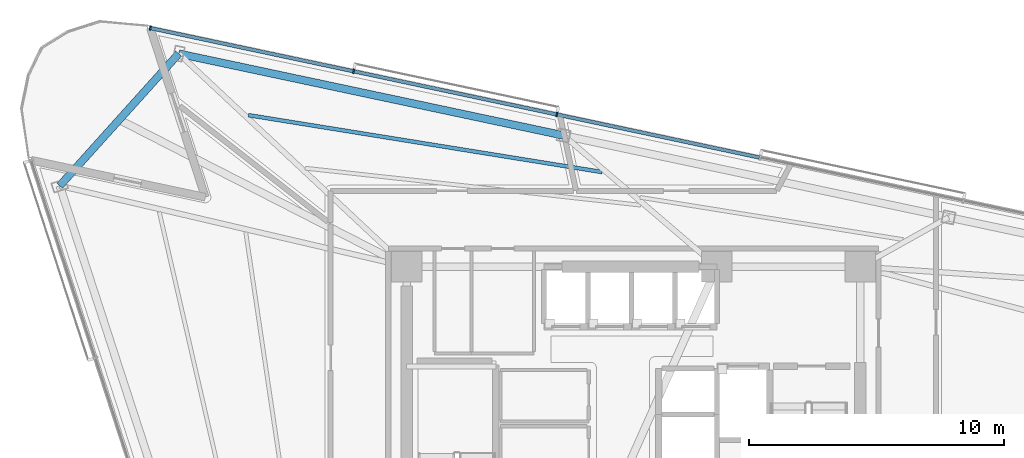
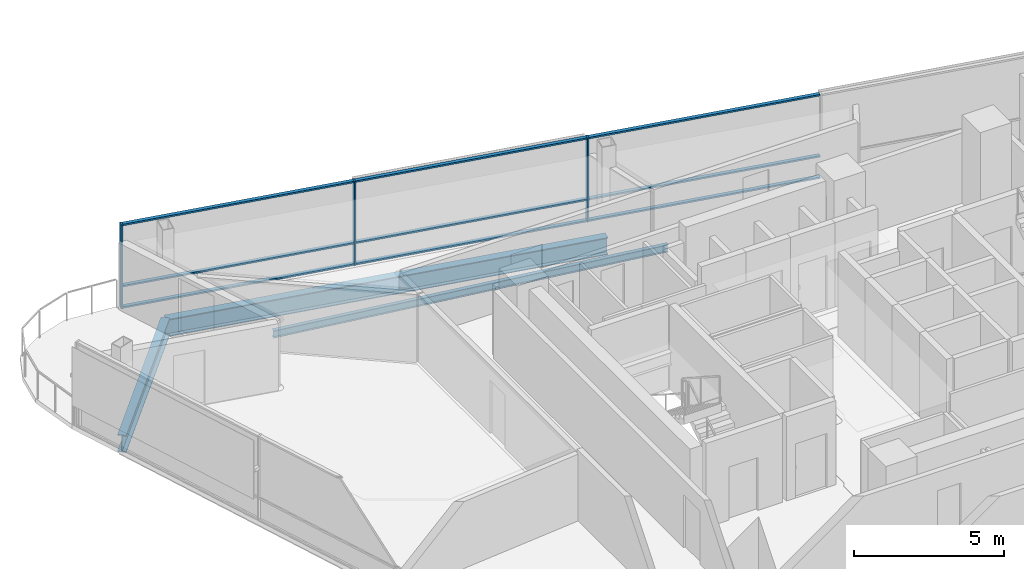
# One storey, part 7 of 17: 12 members, 3 beams, 1 element without a shape of its own.
"""IFC4 building model written with IfcOpenShell, lengths in metres."""

from ifc_helpers import new_model, si_unit, direction, frame, origin, origin_2d, place, context, subcontext, project, spatial, rectangle, i_section, extrude, material, layer, layer_set, material_profile, profile_set, type_object, element, aggregate, save


model = new_model("IFC4")

# Units and contexts
model_context = context("Model", 3, precision=1e-05, world=origin(), true_north=direction((0.0, 1.0)))
body_context = subcontext(model_context, "Body", "Model", "MODEL_VIEW")
ifc_project = project(units=[si_unit("LENGTHUNIT", "METRE"), si_unit("AREAUNIT", "SQUARE_METRE"), si_unit("VOLUMEUNIT", "CUBIC_METRE"), si_unit("PLANEANGLEUNIT", "RADIAN"), si_unit("MASSUNIT", "GRAM", prefix="KILO")], contexts=[model_context])

# Site, building, storey
site_placement = place(None, origin())
site = spatial("IfcSite", under=ifc_project, at=site_placement, CompositionType="ELEMENT")
building_placement = place(site_placement, origin())
building = spatial("IfcBuilding", under=site, at=building_placement, Name="Tharavind Bronze Gate", CompositionType="ELEMENT")
storey_placement = place(building_placement, frame((0.0, 0.0, 204.050048828125)))
storey = spatial("IfcBuildingStorey", under=building, at=storey_placement, Name="L52", CompositionType="ELEMENT", Elevation=204.050048828125)

# Curtain wall, members
ifc_material_1 = material(Name="Anodised Bronze Aluminium", Category="aluminium")
ifc_layer = layer(ifc_material_1, 0.219970703125)
ifc_layer_set = layer_set([ifc_layer], Name="Anodised Bronze Aluminium")
curtain_wall_type = type_object("IfcCurtainWallType", Name="UNITISED CURTAIN WALL MID OFFICE", PredefinedType="USERDEFINED", material=ifc_layer_set)
curtain_wall_placement = place(storey_placement, origin())
curtain_wall = element("IfcCurtainWall", 1, at=curtain_wall_placement, inside=storey, type_object=curtain_wall_type, Name="L52 unitised curtain wall mid office CW-L52-S3", ObjectType="UNITISED CURTAIN WALL", PredefinedType="USERDEFINED")
member_type_1 = type_object("IfcMemberType", Name="CURTAIN WALL BRONZE MULLION 65X180", PredefinedType="MULLION", material=ifc_material_1)
member_1_placement = place(storey_placement, frame((-3.004638671875, 13.576416015625, 0.0), z_axis=(0.0, 0.0, 1.0), x_axis=(-0.978147600734, 0.207911690818, 0.0)))
member_1 = element("IfcMember", 2, at=member_1_placement, type_object=member_type_1, Name="CW-L52-S3 mullion 5", PredefinedType="MULLION", context=body_context, shape_type="SweptSolid", body=[
    extrude(rectangle(XDim=0.06494140625, YDim=0.179931640625, at=origin_2d()), origin(), (0.0, 0.0, 1.0), 3.419921875),
])
member_2_placement = place(storey_placement, frame((-10.982177734375, 15.27197265625, 0.0), z_axis=(0.0, 0.0, 1.0), x_axis=(-0.978147600734, 0.207911690818, 0.0)))
member_2 = element("IfcMember", 3, at=member_2_placement, type_object=member_type_1, Name="CW-L52-S3 mullion 6", PredefinedType="MULLION", context=body_context, shape_type="SweptSolid", body=[
    extrude(rectangle(XDim=0.06494140625, YDim=0.179931640625, at=origin_2d()), origin(), (0.0, 0.0, 1.0), 3.419921875),
])
member_3_placement = place(storey_placement, frame((-18.959716796875, 16.967529296875, 0.0), z_axis=(0.0, 0.0, 1.0), x_axis=(-0.978147600734, 0.207911690818, 0.0)))
member_3 = element("IfcMember", 4, at=member_3_placement, type_object=member_type_1, Name="CW-L52-S3 mullion 7", PredefinedType="MULLION", context=body_context, shape_type="SweptSolid", body=[
    extrude(rectangle(XDim=0.06494140625, YDim=0.179931640625, at=origin_2d()), origin(), (0.0, 0.0, 1.0), 3.419921875),
])
member_type_2 = type_object("IfcMemberType", Name="CURTAIN WALL BRONZE TRANSOM 65X140", PredefinedType="USERDEFINED", material=ifc_material_1)
member_4_placement = place(storey_placement, frame((0.98388671875, 12.728515625, 0.0), z_axis=(0.0, 0.0, 1.0), x_axis=(-0.978147600734, 0.207911690818, 0.0)))
member_4 = element("IfcMember", 5, at=member_4_placement, type_object=member_type_2, Name="CW-L52-S3 transom TB4", ObjectType="TRANSOM", PredefinedType="USERDEFINED", context=body_context, shape_type="SweptSolid", body=[
    extrude(rectangle(XDim=8.102783203125, YDim=0.139892578125, at=origin_2d()), origin(), (0.0, 0.0, 1.0), 0.06494140625),
])
member_5_placement = place(storey_placement, frame((0.98388671875, 12.728515625, 0.867431640625), z_axis=(0.0, 0.0, 1.0), x_axis=(-0.978147600734, 0.207911690818, 0.0)))
member_5 = element("IfcMember", 6, at=member_5_placement, type_object=member_type_2, Name="CW-L52-S3 transom TS4", ObjectType="TRANSOM", PredefinedType="USERDEFINED", context=body_context, shape_type="SweptSolid", body=[
    extrude(rectangle(XDim=8.102783203125, YDim=0.139892578125, at=origin_2d()), origin(), (0.0, 0.0, 1.0), 0.06494140625),
])
member_6_placement = place(storey_placement, frame((0.98388671875, 12.728515625, 3.35498046875), z_axis=(0.0, 0.0, 1.0), x_axis=(-0.978147600734, 0.207911690818, 0.0)))
member_6 = element("IfcMember", 7, at=member_6_placement, type_object=member_type_2, Name="CW-L52-S3 transom TT4", ObjectType="TRANSOM", PredefinedType="USERDEFINED", context=body_context, shape_type="SweptSolid", body=[
    extrude(rectangle(XDim=8.102783203125, YDim=0.139892578125, at=origin_2d()), origin(), (0.0, 0.0, 1.0), 0.06494140625),
])
member_7_placement = place(storey_placement, frame((-6.993408203125, 14.424072265625, 0.0), z_axis=(0.0, 0.0, 1.0), x_axis=(-0.978147600734, 0.207911690818, 0.0)))
member_7 = element("IfcMember", 8, at=member_7_placement, type_object=member_type_2, Name="CW-L52-S3 transom TB5", ObjectType="TRANSOM", PredefinedType="USERDEFINED", context=body_context, shape_type="SweptSolid", body=[
    extrude(rectangle(XDim=8.102783203125, YDim=0.139892578125, at=origin_2d()), origin(), (0.0, 0.0, 1.0), 0.06494140625),
])
member_8_placement = place(storey_placement, frame((-6.993408203125, 14.424072265625, 0.867431640625), z_axis=(0.0, 0.0, 1.0), x_axis=(-0.978147600734, 0.207911690818, 0.0)))
member_8 = element("IfcMember", 9, at=member_8_placement, type_object=member_type_2, Name="CW-L52-S3 transom TS5", ObjectType="TRANSOM", PredefinedType="USERDEFINED", context=body_context, shape_type="SweptSolid", body=[
    extrude(rectangle(XDim=8.102783203125, YDim=0.139892578125, at=origin_2d()), origin(), (0.0, 0.0, 1.0), 0.06494140625),
])
member_9_placement = place(storey_placement, frame((-6.993408203125, 14.424072265625, 3.35498046875), z_axis=(0.0, 0.0, 1.0), x_axis=(-0.978147600734, 0.207911690818, 0.0)))
member_9 = element("IfcMember", 10, at=member_9_placement, type_object=member_type_2, Name="CW-L52-S3 transom TT5", ObjectType="TRANSOM", PredefinedType="USERDEFINED", context=body_context, shape_type="SweptSolid", body=[
    extrude(rectangle(XDim=8.102783203125, YDim=0.139892578125, at=origin_2d()), origin(), (0.0, 0.0, 1.0), 0.06494140625),
])
member_10_placement = place(storey_placement, frame((-14.970947265625, 16.119873046875, 0.0), z_axis=(0.0, 0.0, 1.0), x_axis=(-0.978147600734, 0.207911690818, 0.0)))
member_10 = element("IfcMember", 11, at=member_10_placement, type_object=member_type_2, Name="CW-L52-S3 transom TB6", ObjectType="TRANSOM", PredefinedType="USERDEFINED", context=body_context, shape_type="SweptSolid", body=[
    extrude(rectangle(XDim=8.102783203125, YDim=0.139892578125, at=origin_2d()), origin(), (0.0, 0.0, 1.0), 0.06494140625),
])
member_11_placement = place(storey_placement, frame((-14.970947265625, 16.119873046875, 0.867431640625), z_axis=(0.0, 0.0, 1.0), x_axis=(-0.978147600734, 0.207911690818, 0.0)))
member_11 = element("IfcMember", 12, at=member_11_placement, type_object=member_type_2, Name="CW-L52-S3 transom TS6", ObjectType="TRANSOM", PredefinedType="USERDEFINED", context=body_context, shape_type="SweptSolid", body=[
    extrude(rectangle(XDim=8.102783203125, YDim=0.139892578125, at=origin_2d()), origin(), (0.0, 0.0, 1.0), 0.06494140625),
])
member_12_placement = place(storey_placement, frame((-14.970947265625, 16.119873046875, 3.35498046875), z_axis=(0.0, 0.0, 1.0), x_axis=(-0.978147600734, 0.207911690818, 0.0)))
member_12 = element("IfcMember", 13, at=member_12_placement, type_object=member_type_2, Name="CW-L52-S3 transom TT6", ObjectType="TRANSOM", PredefinedType="USERDEFINED", context=body_context, shape_type="SweptSolid", body=[
    extrude(rectangle(XDim=8.102783203125, YDim=0.139892578125, at=origin_2d()), origin(), (0.0, 0.0, 1.0), 0.06494140625),
])
aggregate(curtain_wall, [member_1, member_2, member_3, member_4, member_5, member_6, member_7, member_8, member_9, member_10, member_11, member_12])

# Beams
ifc_material_2 = material(Name="Steel S355", Category="steel")
ifc_material_profile_1 = material_profile(ifc_material_2, i_section(OverallWidth=0.300048828125, OverallDepth=0.699951171875, WebThickness=0.01708984375, FlangeThickness=0.031982421875, at=origin_2d()), Name="HE700B")
ifc_profile_set_1 = profile_set([ifc_material_profile_1], Name="Steel S355")
beam_type_1 = type_object("IfcBeamType", Name="RING GIRDER HE700B", PredefinedType="USERDEFINED", material=ifc_profile_set_1)
beam_1_placement = place(storey_placement, frame((-2.737060546875, 12.752685546875, -0.530029296875), z_axis=(-0.978148967388, 0.207905261111, 0.0), x_axis=(-0.207905261111, -0.978148967388, 0.0)))
element("IfcBeam", 14, at=beam_1_placement, inside=storey, type_object=beam_type_1, Name="L52 ring girder he700b BM-L52-PRG11", ObjectType="GIRDER", PredefinedType="USERDEFINED", context=body_context, shape_type="SweptSolid", body=[
    extrude(i_section(OverallWidth=0.300048828125, OverallDepth=0.699951171875, WebThickness=0.01708984375, FlangeThickness=0.031982421875, at=origin_2d()), origin(), (0.0, 0.0, 1.0), 15.4453125),
])
beam_2_placement = place(storey_placement, frame((-17.844970703125, 15.9638671875, -0.530029296875), z_axis=(-0.669130909152, -0.743144552841, 0.0), x_axis=(0.743144552841, -0.669130909152, 0.0)))
element("IfcBeam", 15, at=beam_2_placement, inside=storey, type_object=beam_type_1, Name="L52 ring girder he700b BM-L52-PRG12", ObjectType="GIRDER", PredefinedType="USERDEFINED", context=body_context, shape_type="SweptSolid", body=[
    extrude(i_section(OverallWidth=0.300048828125, OverallDepth=0.699951171875, WebThickness=0.01708984375, FlangeThickness=0.031982421875, at=origin_2d()), origin(), (0.0, 0.0, 1.0), 6.979736328125),
])
ifc_material_profile_2 = material_profile(ifc_material_2, i_section(OverallWidth=0.14990234375, OverallDepth=0.300048828125, WebThickness=0.007080078125, FlangeThickness=0.0107421875, at=origin_2d()), Name="IPE300")
ifc_profile_set_2 = profile_set([ifc_material_profile_2], Name="Steel S355")
beam_type_2 = type_object("IfcBeamType", Name="SECONDARY FLOOR JOIST IPE300", PredefinedType="JOIST", material=ifc_profile_set_2)
beam_3_placement = place(storey_placement, frame((-1.224853515625, 11.316650390625, -0.330078125), z_axis=(-0.987305145712, 0.158834974899, 0.0), x_axis=(-0.158834974899, -0.987305145712, 0.0)))
element("IfcBeam", 16, at=beam_3_placement, inside=storey, type_object=beam_type_2, Name="L52 secondary floor joist ipe300 BM-L52-JSTB11", PredefinedType="JOIST", context=body_context, shape_type="SweptSolid", body=[
    extrude(i_section(OverallWidth=0.14990234375, OverallDepth=0.300048828125, WebThickness=0.007080078125, FlangeThickness=0.0107421875, at=origin_2d()), origin(), (0.0, 0.0, 1.0), 14.0595703125),
])

save(model, "model.ifc")
